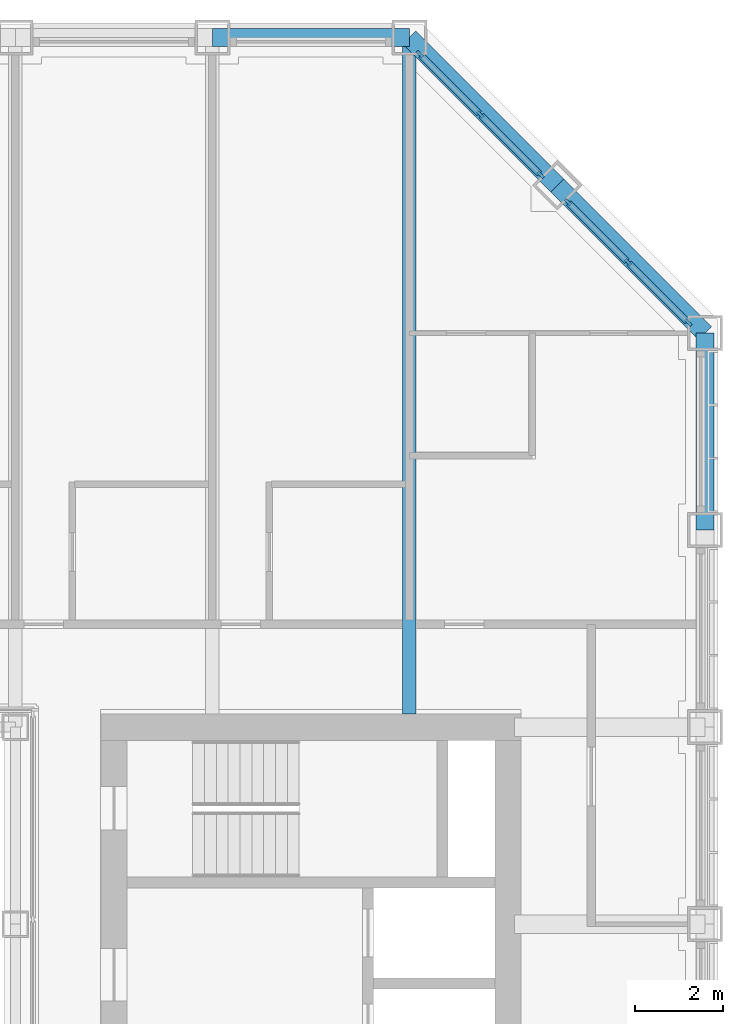
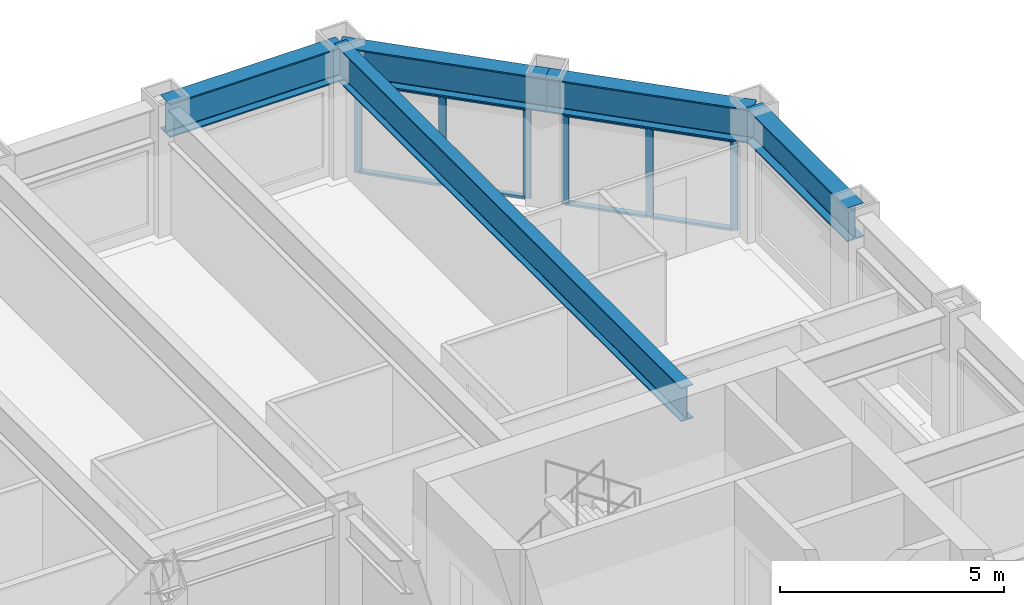
# One storey, part 8 of 18: 14 members, 5 beams, 2 elements without a shape of their own.
"""IFC4 building model written with IfcOpenShell, lengths in metres."""

from ifc_helpers import new_model, si_unit, direction, frame, origin, origin_2d, place, context, subcontext, project, spatial, rectangle, i_section, extrude, material, material_profile, profile_set, type_object, element, aggregate, save


model = new_model("IFC4")

# Units and contexts
model_context = context("Model", 3, precision=1e-05, world=origin(), true_north=direction((0.0, 1.0)))
body_context = subcontext(model_context, "Body", "Model", "MODEL_VIEW")
ifc_project = project(units=[si_unit("LENGTHUNIT", "METRE"), si_unit("AREAUNIT", "SQUARE_METRE"), si_unit("VOLUMEUNIT", "CUBIC_METRE"), si_unit("PLANEANGLEUNIT", "RADIAN"), si_unit("MASSUNIT", "GRAM", prefix="KILO")], contexts=[model_context])

# Site, building, storey
site_placement = place(None, origin())
site = spatial("IfcSite", under=ifc_project, at=site_placement, CompositionType="ELEMENT")
building_placement = place(site_placement, origin())
building = spatial("IfcBuilding", under=site, at=building_placement, Name="Msasa Ring Tower", CompositionType="ELEMENT")
storey_placement = place(building_placement, frame((0.0, 0.0, 122.0)))
storey = spatial("IfcBuildingStorey", under=building, at=storey_placement, Name="L31", CompositionType="ELEMENT", Elevation=122.0)

# Curtain wall, members
ifc_material_1 = material(Name="Aluminium curtain wall with clear glass", Category="aluminium")
curtain_wall_type = type_object("IfcCurtainWallType", Name="CW-C CHAMFER CORNER CURTAIN WALL", PredefinedType="NOTDEFINED", material=ifc_material_1)
curtain_wall_1_placement = place(storey_placement, origin())
curtain_wall_1 = element("IfcCurtainWall", 1, at=curtain_wall_1_placement, inside=storey, type_object=curtain_wall_type, Name="Chamfer corner curtain wall NE L31", PredefinedType="NOTDEFINED")
ifc_material_2 = material(Name="Aluminium mullion", Category="aluminium")
ifc_material_profile_1 = material_profile(ifc_material_2, rectangle(XDim=0.06494140625, YDim=0.179931640625, at=origin_2d()), Name="AL 65x180")
ifc_profile_set_1 = profile_set([ifc_material_profile_1], Name="Aluminium mullion")
member_type_1 = type_object("IfcMemberType", Name="CW-C MULLION 65x180", PredefinedType="MULLION", material=ifc_profile_set_1)
member_1_placement = place(storey_placement, frame((18.744873046875, 19.36376953125, 0.0), z_axis=(0.0, 0.0, 1.0), x_axis=(-0.707106781187, -0.707106781187, 0.0)))
member_1 = element("IfcMember", 2, at=member_1_placement, type_object=member_type_1, Name="CW-C mullion 1", PredefinedType="MULLION", context=body_context, shape_type="SweptSolid", body=[
    extrude(rectangle(XDim=0.06494140625, YDim=0.179931640625, at=origin_2d()), origin(), (0.0, 0.0, 1.0), 2.47900390625),
])
member_2_placement = place(storey_placement, frame((17.36669921875, 20.74169921875, 0.0), z_axis=(0.0, 0.0, 1.0), x_axis=(-0.707106781187, -0.707106781187, 0.0)))
member_2 = element("IfcMember", 3, at=member_2_placement, type_object=member_type_1, Name="CW-C mullion 2", PredefinedType="MULLION", context=body_context, shape_type="SweptSolid", body=[
    extrude(rectangle(XDim=0.06494140625, YDim=0.179931640625, at=origin_2d()), origin(), (0.0, 0.0, 1.0), 2.47900390625),
])
member_3_placement = place(storey_placement, frame((15.98876953125, 22.119873046875, 0.0), z_axis=(0.0, 0.0, 1.0), x_axis=(-0.707106781187, -0.707106781187, 0.0)))
member_3 = element("IfcMember", 4, at=member_3_placement, type_object=member_type_1, Name="CW-C mullion 3", PredefinedType="MULLION", context=body_context, shape_type="SweptSolid", body=[
    extrude(rectangle(XDim=0.06494140625, YDim=0.179931640625, at=origin_2d()), origin(), (0.0, 0.0, 1.0), 2.47900390625),
])

curtain_wall_2_placement = place(storey_placement, origin())
curtain_wall_2 = element("IfcCurtainWall", 5, at=curtain_wall_2_placement, inside=storey, type_object=curtain_wall_type, Name="Chamfer corner curtain wall NE L31", PredefinedType="NOTDEFINED")
member_4_placement = place(storey_placement, frame((22.119873046875, 15.98876953125, 0.0), z_axis=(0.0, 0.0, 1.0), x_axis=(-0.707106781187, -0.707106781187, 0.0)))
member_4 = element("IfcMember", 6, at=member_4_placement, type_object=member_type_1, Name="CW-C mullion 1", PredefinedType="MULLION", context=body_context, shape_type="SweptSolid", body=[
    extrude(rectangle(XDim=0.06494140625, YDim=0.179931640625, at=origin_2d()), origin(), (0.0, 0.0, 1.0), 2.47900390625),
])
member_5_placement = place(storey_placement, frame((20.74169921875, 17.36669921875, 0.0), z_axis=(0.0, 0.0, 1.0), x_axis=(-0.707106781187, -0.707106781187, 0.0)))
member_5 = element("IfcMember", 7, at=member_5_placement, type_object=member_type_1, Name="CW-C mullion 2", PredefinedType="MULLION", context=body_context, shape_type="SweptSolid", body=[
    extrude(rectangle(XDim=0.06494140625, YDim=0.179931640625, at=origin_2d()), origin(), (0.0, 0.0, 1.0), 2.47900390625),
])
member_6_placement = place(storey_placement, frame((19.36376953125, 18.744873046875, 0.0), z_axis=(0.0, 0.0, 1.0), x_axis=(-0.707106781187, -0.707106781187, 0.0)))
member_6 = element("IfcMember", 8, at=member_6_placement, type_object=member_type_1, Name="CW-C mullion 3", PredefinedType="MULLION", context=body_context, shape_type="SweptSolid", body=[
    extrude(rectangle(XDim=0.06494140625, YDim=0.179931640625, at=origin_2d()), origin(), (0.0, 0.0, 1.0), 2.47900390625),
])

# Member
ifc_material_3 = material(Name="Aluminium transom", Category="aluminium")
ifc_material_profile_2 = material_profile(ifc_material_3, rectangle(XDim=0.139892578125, YDim=0.06494140625, at=origin_2d()), Name="AL 65x140")
ifc_profile_set_2 = profile_set([ifc_material_profile_2], Name="Aluminium transom")
member_type_2 = type_object("IfcMemberType", Name="CW-C TRANSOM 65x140", PredefinedType="USERDEFINED", material=ifc_profile_set_2)
member_7_placement = place(storey_placement, frame((18.721923828125, 19.38671875, 0.032470703125), z_axis=(-0.707106781187, 0.707106781187, 0.0), x_axis=(-0.707106781187, -0.707106781187, 0.0)))
member_7 = element("IfcMember", 9, at=member_7_placement, type_object=member_type_2, Name="CW-C transom 1.1", ObjectType="TRANSOM", PredefinedType="USERDEFINED", context=body_context, shape_type="SweptSolid", body=[
    extrude(rectangle(XDim=0.139892578125, YDim=0.06494140625, at=origin_2d()), origin(), (0.0, 0.0, 1.0), 1.8837890625),
])

member_8_placement = place(storey_placement, frame((18.721923828125, 19.38671875, 2.446533203125), z_axis=(-0.707106781187, 0.707106781187, 0.0), x_axis=(-0.707106781187, -0.707106781187, 0.0)))
member_8 = element("IfcMember", 10, at=member_8_placement, type_object=member_type_2, Name="CW-C transom 1.2", ObjectType="TRANSOM", PredefinedType="USERDEFINED", context=body_context, shape_type="SweptSolid", body=[
    extrude(rectangle(XDim=0.139892578125, YDim=0.06494140625, at=origin_2d()), origin(), (0.0, 0.0, 1.0), 1.8837890625),
])

member_9_placement = place(storey_placement, frame((17.34375, 20.764892578125, 0.032470703125), z_axis=(-0.707106781187, 0.707106781187, 0.0), x_axis=(-0.707106781187, -0.707106781187, 0.0)))
member_9 = element("IfcMember", 11, at=member_9_placement, type_object=member_type_2, Name="CW-C transom 2.1", ObjectType="TRANSOM", PredefinedType="USERDEFINED", context=body_context, shape_type="SweptSolid", body=[
    extrude(rectangle(XDim=0.139892578125, YDim=0.06494140625, at=origin_2d()), origin(), (0.0, 0.0, 1.0), 1.8837890625),
])

member_10_placement = place(storey_placement, frame((17.34375, 20.764892578125, 2.446533203125), z_axis=(-0.707106781187, 0.707106781187, 0.0), x_axis=(-0.707106781187, -0.707106781187, 0.0)))
member_10 = element("IfcMember", 12, at=member_10_placement, type_object=member_type_2, Name="CW-C transom 2.2", ObjectType="TRANSOM", PredefinedType="USERDEFINED", context=body_context, shape_type="SweptSolid", body=[
    extrude(rectangle(XDim=0.139892578125, YDim=0.06494140625, at=origin_2d()), origin(), (0.0, 0.0, 1.0), 1.8837890625),
])

aggregate(curtain_wall_1, [member_1, member_2, member_3, member_7, member_8, member_9, member_10])

member_11_placement = place(storey_placement, frame((22.096923828125, 16.01171875, 0.032470703125), z_axis=(-0.707106781187, 0.707106781187, 0.0), x_axis=(-0.707106781187, -0.707106781187, 0.0)))
member_11 = element("IfcMember", 13, at=member_11_placement, type_object=member_type_2, Name="CW-C transom 1.1", ObjectType="TRANSOM", PredefinedType="USERDEFINED", context=body_context, shape_type="SweptSolid", body=[
    extrude(rectangle(XDim=0.139892578125, YDim=0.06494140625, at=origin_2d()), origin(), (0.0, 0.0, 1.0), 1.8837890625),
])

member_12_placement = place(storey_placement, frame((22.096923828125, 16.01171875, 2.446533203125), z_axis=(-0.707106781187, 0.707106781187, 0.0), x_axis=(-0.707106781187, -0.707106781187, 0.0)))
member_12 = element("IfcMember", 14, at=member_12_placement, type_object=member_type_2, Name="CW-C transom 1.2", ObjectType="TRANSOM", PredefinedType="USERDEFINED", context=body_context, shape_type="SweptSolid", body=[
    extrude(rectangle(XDim=0.139892578125, YDim=0.06494140625, at=origin_2d()), origin(), (0.0, 0.0, 1.0), 1.8837890625),
])

member_13_placement = place(storey_placement, frame((20.71875, 17.389892578125, 0.032470703125), z_axis=(-0.707106781187, 0.707106781187, 0.0), x_axis=(-0.707106781187, -0.707106781187, 0.0)))
member_13 = element("IfcMember", 15, at=member_13_placement, type_object=member_type_2, Name="CW-C transom 2.1", ObjectType="TRANSOM", PredefinedType="USERDEFINED", context=body_context, shape_type="SweptSolid", body=[
    extrude(rectangle(XDim=0.139892578125, YDim=0.06494140625, at=origin_2d()), origin(), (0.0, 0.0, 1.0), 1.8837890625),
])

member_14_placement = place(storey_placement, frame((20.71875, 17.389892578125, 2.446533203125), z_axis=(-0.707106781187, 0.707106781187, 0.0), x_axis=(-0.707106781187, -0.707106781187, 0.0)))
member_14 = element("IfcMember", 16, at=member_14_placement, type_object=member_type_2, Name="CW-C transom 2.2", ObjectType="TRANSOM", PredefinedType="USERDEFINED", context=body_context, shape_type="SweptSolid", body=[
    extrude(rectangle(XDim=0.139892578125, YDim=0.06494140625, at=origin_2d()), origin(), (0.0, 0.0, 1.0), 1.8837890625),
])

aggregate(curtain_wall_2, [member_4, member_5, member_6, member_11, member_12, member_13, member_14])

# Beams
ifc_material_4 = material(Name="Steel S355", Category="steel")
ifc_material_profile_3 = material_profile(ifc_material_4, i_section(OverallWidth=0.3076171875, OverallDepth=0.926513671875, WebThickness=0.01953125, FlangeThickness=0.031982421875, FilletRadius=0.01904296875, at=origin_2d()), Name="UB 914x305x289")
ifc_profile_set_3 = profile_set([ifc_material_profile_3], Name="Steel S355")
beam_type_1 = type_object("IfcBeamType", Name="FB3 UB 914x305x289", PredefinedType="BEAM", material=ifc_profile_set_3)
beam_1_placement = place(storey_placement, frame((15.75, 22.5, 2.936767578125), z_axis=(0.0, -1.0, 0.0), x_axis=(1.0, 0.0, 0.0)))
element("IfcBeam", 17, at=beam_1_placement, inside=storey, type_object=beam_type_1, Name="Floor beam N+15.75 under L32", PredefinedType="BEAM", context=body_context, shape_type="SweptSolid", body=[
    extrude(i_section(OverallWidth=0.3076171875, OverallDepth=0.926513671875, WebThickness=0.01953125, FlangeThickness=0.031982421875, FilletRadius=0.01904296875, at=origin_2d()), origin(), (0.0, 0.0, 1.0), 15.449951171875),
])
ifc_material_5 = material(Name="Steel S355", Category="steel")
ifc_material_profile_4 = material_profile(ifc_material_5, i_section(OverallWidth=0.42041015625, OverallDepth=0.9208984375, WebThickness=0.021484375, FlangeThickness=0.03662109375, FilletRadius=0.024169921875, at=origin_2d()), Name="UB 914x419x388")
ifc_profile_set_4 = profile_set([ifc_material_profile_4], Name="Steel S355")
beam_type_2 = type_object("IfcBeamType", Name="SB1 UB 914x419x388", PredefinedType="SPANDREL", material=ifc_profile_set_4)
beam_2_placement = place(storey_placement, frame((22.5, 11.25, 2.939453125), z_axis=(0.0, 1.0, 0.0), x_axis=(-1.0, 0.0, 0.0)))
element("IfcBeam", 18, at=beam_2_placement, inside=storey, type_object=beam_type_2, Name="Spandrel E+11.25 to E+15.75 under L32", PredefinedType="SPANDREL", context=body_context, shape_type="SweptSolid", body=[
    extrude(i_section(OverallWidth=0.42041015625, OverallDepth=0.9208984375, WebThickness=0.021484375, FlangeThickness=0.03662109375, FilletRadius=0.024169921875, at=origin_2d()), origin(), (0.0, 0.0, 1.0), 4.5),
])
for number, where, z_axis, x_axis, name in (
    (19, (22.5, 15.75, 2.939453125), (-0.707106781187, 0.707106781187, 0.0), (-0.707106781187, -0.707106781187, 0.0), "Spandrel E+15.75 to NE under L32"),
    (20, (19.125, 19.125, 2.939453125), (-0.707106781187, 0.707106781187, 0.0), (-0.707106781187, -0.707106781187, 0.0), "Spandrel NE to N+15.75 under L32"),
):
    element("IfcBeam", number, at=place(storey_placement, frame(where, z_axis=z_axis, x_axis=x_axis)), inside=storey, type_object=beam_type_2, Name=name, PredefinedType="SPANDREL", context=body_context, shape_type="SweptSolid", body=[
        extrude(i_section(OverallWidth=0.42041015625, OverallDepth=0.9208984375, WebThickness=0.021484375, FlangeThickness=0.03662109375, FilletRadius=0.024169921875, at=origin_2d()), origin(), (0.0, 0.0, 1.0), 4.77294921875),
    ])
beam_3_placement = place(storey_placement, frame((15.75, 22.5, 2.939453125), z_axis=(-1.0, 0.0, 0.0), x_axis=(0.0, -1.0, 0.0)))
element("IfcBeam", 21, at=beam_3_placement, inside=storey, type_object=beam_type_2, Name="Spandrel N+15.75 to N+11.25 under L32", PredefinedType="SPANDREL", context=body_context, shape_type="SweptSolid", body=[
    extrude(i_section(OverallWidth=0.42041015625, OverallDepth=0.9208984375, WebThickness=0.021484375, FlangeThickness=0.03662109375, FilletRadius=0.024169921875, at=origin_2d()), origin(), (0.0, 0.0, 1.0), 4.5),
])

save(model, "model.ifc")
